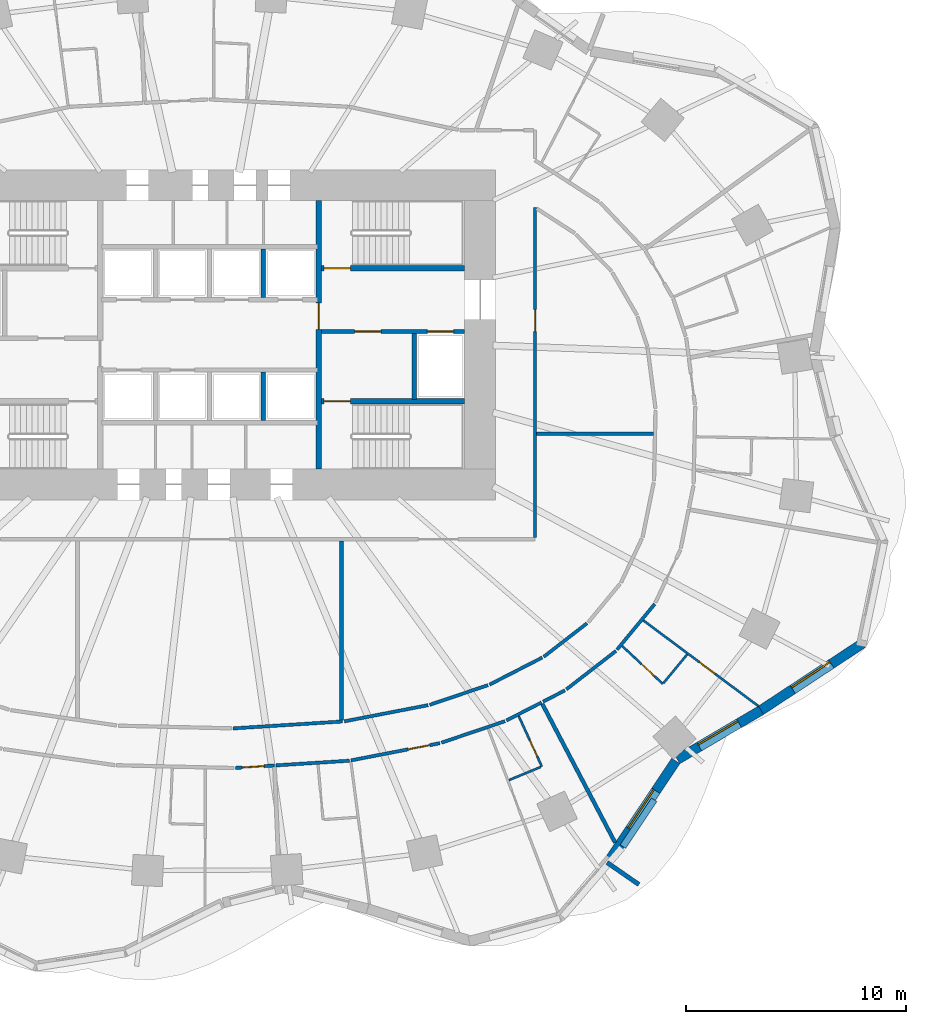
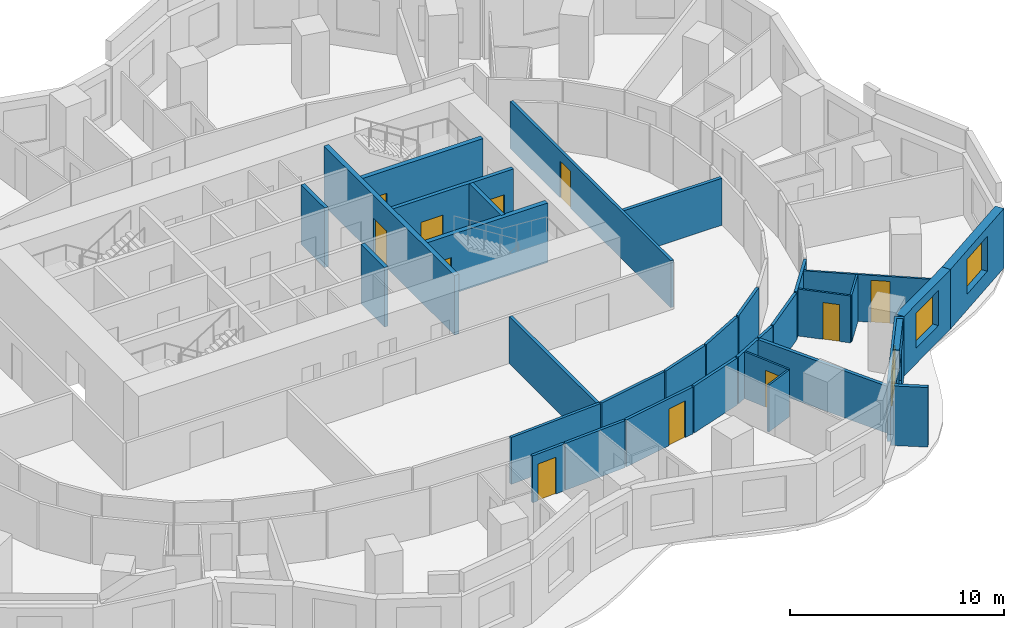
# One storey, part 6 of 11: 34 walls, 11 doors, 3 windows, 14 openings.
"""IFC4 building model written with IfcOpenShell, lengths in metres."""

from ifc_helpers import new_model, si_unit, direction, frame, frame_2d, origin, place, context, subcontext, project, spatial, rectangle, extrude, material, layer, layer_set, type_object, element, fill, save


model = new_model("IFC4")

# Units and contexts
model_context = context("Model", 3, precision=1e-05, world=origin(), true_north=direction((0.0, 1.0)))
body_context = subcontext(model_context, "Body", "Model", "MODEL_VIEW")
ifc_project = project(units=[si_unit("LENGTHUNIT", "METRE"), si_unit("AREAUNIT", "SQUARE_METRE"), si_unit("VOLUMEUNIT", "CUBIC_METRE"), si_unit("PLANEANGLEUNIT", "RADIAN"), si_unit("MASSUNIT", "GRAM", prefix="KILO")], contexts=[model_context])

# Site, building, storey
site_placement = place(None, origin())
site = spatial("IfcSite", under=ifc_project, at=site_placement, CompositionType="ELEMENT")
building_placement = place(site_placement, origin())
building = spatial("IfcBuilding", under=site, at=building_placement, Name="Rubra Terraces Tower", CompositionType="ELEMENT")
storey_placement = place(building_placement, frame((0.0, 0.0, 66.300048828125)))
storey = spatial("IfcBuildingStorey", under=building, at=storey_placement, Name="L14", CompositionType="ELEMENT", Elevation=66.300048828125)

# Walls
ifc_material_1 = material(Name="Twin plasterboard on staggered steel stud, acoustic mineral wool", Category="steel")
ifc_layer_1 = layer(ifc_material_1, 0.175048828125)
ifc_layer_set_1 = layer_set([ifc_layer_1], Name="Twin plasterboard on staggered steel stud, acoustic mineral wool")
wall_type_1 = type_object("IfcWallType", Name="ACOUSTIC PARTY WALL 175", PredefinedType="PARTITIONING", material=ifc_layer_set_1)
wall_1_placement = place(storey_placement, frame((18.438720703125, -18.585693359375, 0.0), z_axis=(0.0, 0.0, 1.0), x_axis=(-0.464812403085, 0.885409187855, 0.0)))
element("IfcWall", 1, at=wall_1_placement, inside=storey, type_object=wall_type_1, Name="PARTITION", PredefinedType="PARTITIONING", context=body_context, shape_type="SweptSolid", body=[
    extrude(rectangle(XDim=7.122802734375, YDim=0.175048828125, at=frame_2d((3.5615234375, 0.0))), origin(), (0.0, 0.0, 1.0), 2.679931640625),
])
wall_2_placement = place(storey_placement, frame((6.0, -13.005859375, 0.0), z_axis=(0.0, 0.0, 1.0), x_axis=(0.0, 1.0, 0.0)))
element("IfcWall", 2, at=wall_2_placement, inside=storey, type_object=wall_type_1, Name="PARTITION", PredefinedType="PARTITIONING", context=body_context, shape_type="SweptSolid", body=[
    extrude(rectangle(XDim=8.130859375, YDim=0.175048828125, at=frame_2d((4.0654296875, 0.0))), origin(), (0.0, 0.0, 1.0), 2.679931640625),
])
wall_3_placement = place(storey_placement, frame((14.875, 0.0, 0.0), z_axis=(0.0, 0.0, 1.0), x_axis=(1.0, 0.0, 0.0)))
element("IfcWall", 3, at=wall_3_placement, inside=storey, type_object=wall_type_1, Name="PARTITION", PredefinedType="PARTITIONING", context=body_context, shape_type="SweptSolid", body=[
    extrude(rectangle(XDim=5.301025390625, YDim=0.175048828125, at=frame_2d((2.650390625, 0.0))), origin(), (0.0, 0.0, 1.0), 2.679931640625),
])

# Wall, opening, window
ifc_material_2 = material(Name="Brick masonry red-brown", Category="masonry")
ifc_layer_2 = layer(ifc_material_2, 0.449951171875)
ifc_layer_set_2 = layer_set([ifc_layer_2], Name="Brick masonry red-brown")
wall_type_2 = type_object("IfcWallType", Name="Brick facade wall 450", PredefinedType="SOLIDWALL", material=ifc_layer_set_2)
wall_4_placement = place(storey_placement, frame((18.21435546875, -19.333251953125, 0.0), z_axis=(0.0, 0.0, 1.0), x_axis=(0.555833135316, 0.831293886471, 0.0)))
wall_4 = element("IfcWall", 4, at=wall_4_placement, inside=storey, type_object=wall_type_2, Name="Facade wall L14 bay 36", PredefinedType="SOLIDWALL", context=body_context, shape_type="SweptSolid", body=[
    extrude(rectangle(XDim=5.368408203125, YDim=0.449951171875, at=frame_2d((2.68408203125, 0.0))), origin(), (0.0, 0.0, 1.0), 3.39990234375),
])
opening_1_placement = place(wall_4_placement, frame((1.63427734375, 0.0, 0.89990234375)))
opening_1 = element("IfcOpeningElement", 5, at=opening_1_placement, cuts=wall_4, Name="Opening W1", PredefinedType="OPENING", context=body_context, shape_type="SweptSolid", body=[
    extrude(rectangle(XDim=2.10009765625, YDim=2.0, at=frame_2d((1.050048828125, 1.0))), frame((0.0, 0.23486328125, 0.0), z_axis=(0.0, -1.0, 0.0), x_axis=(1.0, 0.0, 0.0)), (0.0, 0.0, 1.0), 0.469970703125),
])
ifc_material_3 = material(Name="Clear glass in aluminium frame", Category="aluminium")
window_type = type_object("IfcWindowType", Name="Fixed deep-set window 2100 x 2000", PartitioningType="SINGLE_PANEL", PredefinedType="WINDOW", material=ifc_material_3)
window_1_placement = place(opening_1_placement, origin())
window_1 = element("IfcWindow", 6, at=window_1_placement, inside=storey, type_object=window_type, Name="Window L14 bay 36", OverallHeight=2.0, OverallWidth=2.10009765625, PartitioningType="SINGLE_PANEL", PredefinedType="WINDOW", context=body_context, shape_type="SweptSolid", body=[
    extrude(rectangle(XDim=2.10009765625, YDim=2.0, at=frame_2d((1.050048828125, 1.0))), frame((0.0, 0.135009765625, 0.0), z_axis=(0.0, -1.0, 0.0), x_axis=(1.0, 0.0, 0.0)), (0.0, 0.0, 1.0), 0.06005859375),
])
fill(opening_1, window_1)

wall_5_placement = place(storey_placement, frame((21.265625, -14.805419921875, 0.0), z_axis=(0.0, 0.0, 1.0), x_axis=(0.861975457737, 0.506950007653, 0.0)))
wall_5 = element("IfcWall", 7, at=wall_5_placement, inside=storey, type_object=wall_type_2, Name="Facade wall L14 bay 37", PredefinedType="SOLIDWALL", context=body_context, shape_type="SweptSolid", body=[
    extrude(rectangle(XDim=4.412841796875, YDim=0.449951171875, at=frame_2d((2.20654296875, 0.0))), origin(), (0.0, 0.0, 1.0), 3.39990234375),
])
opening_2_placement = place(wall_5_placement, frame((1.156494140625, 0.0, 0.89990234375)))
opening_2 = element("IfcOpeningElement", 8, at=opening_2_placement, cuts=wall_5, Name="Opening W1", PredefinedType="OPENING", context=body_context, shape_type="SweptSolid", body=[
    extrude(rectangle(XDim=2.10009765625, YDim=2.0, at=frame_2d((1.050048828125, 1.0))), frame((0.0, 0.23486328125, 0.0), z_axis=(0.0, -1.0, 0.0), x_axis=(1.0, 0.0, 0.0)), (0.0, 0.0, 1.0), 0.469970703125),
])
window_2_placement = place(opening_2_placement, origin())
window_2 = element("IfcWindow", 9, at=window_2_placement, inside=storey, type_object=window_type, Name="Window L14 bay 37", OverallHeight=2.0, OverallWidth=2.10009765625, PartitioningType="SINGLE_PANEL", PredefinedType="WINDOW", context=body_context, shape_type="SweptSolid", body=[
    extrude(rectangle(XDim=2.10009765625, YDim=2.0, at=frame_2d((1.050048828125, 1.0))), frame((0.0, 0.135009765625, 0.0), z_axis=(0.0, -1.0, 0.0), x_axis=(1.0, 0.0, 0.0)), (0.0, 0.0, 1.0), 0.06005859375),
])
fill(opening_2, window_2)

wall_6_placement = place(storey_placement, frame((25.06103515625, -12.573974609375, 0.0), z_axis=(0.0, 0.0, 1.0), x_axis=(0.83520622102, 0.549936876714, 0.0)))
wall_6 = element("IfcWall", 10, at=wall_6_placement, inside=storey, type_object=wall_type_2, Name="Facade wall L14 bay 38", PredefinedType="SOLIDWALL", context=body_context, shape_type="SweptSolid", body=[
    extrude(rectangle(XDim=5.56982421875, YDim=0.449951171875, at=frame_2d((2.784912109375, 0.0))), origin(), (0.0, 0.0, 1.0), 3.39990234375),
])
opening_3_placement = place(wall_6_placement, frame((1.73486328125, 0.0, 0.89990234375)))
opening_3 = element("IfcOpeningElement", 11, at=opening_3_placement, cuts=wall_6, Name="Opening W1", PredefinedType="OPENING", context=body_context, shape_type="SweptSolid", body=[
    extrude(rectangle(XDim=2.10009765625, YDim=2.0, at=frame_2d((1.050048828125, 1.0))), frame((0.0, 0.23486328125, 0.0), z_axis=(0.0, -1.0, 0.0), x_axis=(1.0, 0.0, 0.0)), (0.0, 0.0, 1.0), 0.469970703125),
])
window_3_placement = place(opening_3_placement, origin())
window_3 = element("IfcWindow", 12, at=window_3_placement, inside=storey, type_object=window_type, Name="Window L14 bay 38", OverallHeight=2.0, OverallWidth=2.10009765625, PartitioningType="SINGLE_PANEL", PredefinedType="WINDOW", context=body_context, shape_type="SweptSolid", body=[
    extrude(rectangle(XDim=2.10009765625, YDim=2.0, at=frame_2d((1.050048828125, 1.0))), frame((0.0, 0.135009765625, 0.0), z_axis=(0.0, -1.0, 0.0), x_axis=(1.0, 0.0, 0.0)), (0.0, 0.0, 1.0), 0.06005859375),
])
fill(opening_3, window_3)

# Walls
ifc_layer_3 = layer(ifc_material_2, 0.300048828125)
ifc_layer_set_3 = layer_set([ifc_layer_3], Name="Brick masonry red-brown")
wall_type_3 = type_object("IfcWallType", Name="Brick parapet 300", PredefinedType="PARAPET", material=ifc_layer_set_3)
wall_7_placement = place(storey_placement, frame((18.7919921875, -18.7666015625, 3.599853515625), z_axis=(0.0, 0.0, 1.0), x_axis=(0.555843382853, 0.831287034507, 0.0)))
element("IfcWall", 13, at=wall_7_placement, inside=storey, type_object=wall_type_3, Name="Parapet L14 bay 36", PredefinedType="PARAPET", context=body_context, shape_type="SweptSolid", body=[
    extrude(rectangle(XDim=2.5615234375, YDim=0.300048828125, at=frame_2d((1.28076171875, 0.0))), origin(), (0.0, 0.0, 1.0), 1.10009765625),
])
ifc_layer_4 = layer(ifc_material_2, 0.199951171875)
ifc_layer_set_4 = layer_set([ifc_layer_4], Name="Brick masonry red-brown")
wall_type_4 = type_object("IfcWallType", Name="Brick wind fin 200", PredefinedType="SOLIDWALL", material=ifc_layer_set_4)
wall_8_placement = place(storey_placement, frame((18.075927734375, -19.491943359375, 0.0), z_axis=(0.0, 0.0, 1.0), x_axis=(0.822618823872, -0.568593238274, 0.0)))
element("IfcWall", 14, at=wall_8_placement, inside=storey, type_object=wall_type_4, Name="Wind fin L14 21", PredefinedType="SOLIDWALL", context=body_context, shape_type="SweptSolid", body=[
    extrude(rectangle(XDim=1.750244140625, YDim=0.199951171875, at=frame_2d((0.875, 0.0))), origin(), (0.0, 0.0, 1.0), 3.39990234375),
])

# Wall, opening, door
ifc_material_4 = material(Name="Plasterboard on steel stud, mineral wool infill", Category="steel")
ifc_layer_5 = layer(ifc_material_4, 0.14990234375)
ifc_layer_set_5 = layer_set([ifc_layer_5], Name="Plasterboard on steel stud, mineral wool infill")
wall_type_5 = type_object("IfcWallType", Name="CORRIDOR PARTITION 150", PredefinedType="PARTITIONING", material=ifc_layer_set_5)
wall_9_placement = place(storey_placement, frame((1.185791015625, -15.189697265625, 0.0), z_axis=(0.0, 0.0, 1.0), x_axis=(0.997996397867, 0.063270766108, 0.0)))
wall_9 = element("IfcWall", 15, at=wall_9_placement, inside=storey, type_object=wall_type_5, Name="PARTITION", PredefinedType="PARTITIONING", context=body_context, shape_type="SweptSolid", body=[
    extrude(rectangle(XDim=1.771240234375, YDim=0.14990234375, at=frame_2d((0.8857421875, 0.0))), origin(), (0.0, 0.0, 1.0), 2.679931640625),
])
opening_4_placement = place(wall_9_placement, frame((0.300048828125, 0.0, 0.0)))
opening_4 = element("IfcOpeningElement", 16, at=opening_4_placement, cuts=wall_9, Name="Opening 14-119", PredefinedType="OPENING", context=body_context, shape_type="SweptSolid", body=[
    extrude(rectangle(XDim=1.0, YDim=2.10009765625, at=frame_2d((0.5, 1.050048828125))), frame((0.0, 0.0849609375, 0.0), z_axis=(0.0, -1.0, 0.0), x_axis=(1.0, 0.0, 0.0)), (0.0, 0.0, 1.0), 0.169921875),
])
ifc_material_5 = material(Name="Painted timber door leaf", Category="wood")
door_type_1 = type_object("IfcDoorType", Name="ROOM DOOR 1000 X 2100", OperationType="SINGLE_SWING_LEFT", PredefinedType="DOOR", material=ifc_material_5)
door_1_placement = place(opening_4_placement, origin())
door_1 = element("IfcDoor", 17, at=door_1_placement, inside=storey, type_object=door_type_1, Name="DOOR 14-119", OperationType="SINGLE_SWING_RIGHT", OverallHeight=2.10009765625, OverallWidth=1.0, PredefinedType="DOOR", context=body_context, shape_type="SweptSolid", body=[
    extrude(rectangle(XDim=1.0, YDim=2.10009765625, at=frame_2d((0.5, 1.050048828125))), frame((0.0, 0.02490234375, 0.0), z_axis=(0.0, -1.0, 0.0), x_axis=(1.0, 0.0, 0.0)), (0.0, 0.0, 1.0), 0.050048828125),
])
fill(opening_4, door_1)

# Wall
wall_10_placement = place(storey_placement, frame((3.0283203125, -15.072998046875, 0.0), z_axis=(0.0, 0.0, 1.0), x_axis=(0.997992583289, 0.063330906356, 0.0)))
element("IfcWall", 18, at=wall_10_placement, inside=storey, type_object=wall_type_5, Name="PARTITION", PredefinedType="PARTITIONING", context=body_context, shape_type="SweptSolid", body=[
    extrude(rectangle(XDim=3.33447265625, YDim=0.14990234375, at=frame_2d((1.667236328125, 0.0))), origin(), (0.0, 0.0, 1.0), 2.679931640625),
])

# Wall, opening, door
wall_11_placement = place(storey_placement, frame((6.429931640625, -14.84765625, 0.0), z_axis=(0.0, 0.0, 1.0), x_axis=(0.981801609996, 0.189909448446, 0.0)))
wall_11 = element("IfcWall", 19, at=wall_11_placement, inside=storey, type_object=wall_type_5, Name="PARTITION", PredefinedType="PARTITIONING", context=body_context, shape_type="SweptSolid", body=[
    extrude(rectangle(XDim=4.11767578125, YDim=0.14990234375, at=frame_2d((2.058837890625, 0.0))), origin(), (0.0, 0.0, 1.0), 2.679931640625),
])
opening_5_placement = place(wall_11_placement, frame((2.64990234375, 0.0, 0.0)))
opening_5 = element("IfcOpeningElement", 20, at=opening_5_placement, cuts=wall_11, Name="Opening 14-124", PredefinedType="OPENING", context=body_context, shape_type="SweptSolid", body=[
    extrude(rectangle(XDim=1.0, YDim=2.10009765625, at=frame_2d((0.5, 1.050048828125))), frame((0.0, 0.0849609375, 0.0), z_axis=(0.0, -1.0, 0.0), x_axis=(1.0, 0.0, 0.0)), (0.0, 0.0, 1.0), 0.169921875),
])
door_2_placement = place(opening_5_placement, origin())
door_2 = element("IfcDoor", 21, at=door_2_placement, inside=storey, type_object=door_type_1, Name="DOOR 14-124", OperationType="SINGLE_SWING_RIGHT", OverallHeight=2.10009765625, OverallWidth=1.0, PredefinedType="DOOR", context=body_context, shape_type="SweptSolid", body=[
    extrude(rectangle(XDim=1.0, YDim=2.10009765625, at=frame_2d((0.5, 1.050048828125))), frame((0.0, 0.02490234375, 0.0), z_axis=(0.0, -1.0, 0.0), x_axis=(1.0, 0.0, 0.0)), (0.0, 0.0, 1.0), 0.050048828125),
])
fill(opening_5, door_2)

# Walls
wall_12_placement = place(storey_placement, frame((10.543701171875, -14.041748046875, 0.0), z_axis=(0.0, 0.0, 1.0), x_axis=(0.947314242069, 0.320305677085, 0.0)))
element("IfcWall", 22, at=wall_12_placement, inside=storey, type_object=wall_type_5, Name="PARTITION", PredefinedType="PARTITIONING", context=body_context, shape_type="SweptSolid", body=[
    extrude(rectangle(XDim=3.051025390625, YDim=0.14990234375, at=frame_2d((1.525390625, 0.0))), origin(), (0.0, 0.0, 1.0), 2.679931640625),
])
wall_13_placement = place(storey_placement, frame((13.5009765625, -13.030029296875, 0.0), z_axis=(0.0, 0.0, 1.0), x_axis=(0.88960147572, 0.456737577168, 0.0)))
element("IfcWall", 23, at=wall_13_placement, inside=storey, type_object=wall_type_5, Name="PARTITION", PredefinedType="PARTITIONING", context=body_context, shape_type="SweptSolid", body=[
    extrude(rectangle(XDim=1.78955078125, YDim=0.14990234375, at=frame_2d((0.894775390625, 0.0))), origin(), (0.0, 0.0, 1.0), 2.679931640625),
])
wall_14_placement = place(storey_placement, frame((15.159912109375, -12.17822265625, 0.0), z_axis=(0.0, 0.0, 1.0), x_axis=(0.889562255844, 0.456813958826, 0.0)))
element("IfcWall", 24, at=wall_14_placement, inside=storey, type_object=wall_type_5, Name="PARTITION", PredefinedType="PARTITIONING", context=body_context, shape_type="SweptSolid", body=[
    extrude(rectangle(XDim=1.1259765625, YDim=0.14990234375, at=frame_2d((0.56298828125, 0.0))), origin(), (0.0, 0.0, 1.0), 2.679931640625),
])
wall_15_placement = place(storey_placement, frame((16.220947265625, -11.617919921875, 0.0), z_axis=(0.0, 0.0, 1.0), x_axis=(0.79075977513, 0.612126602948, 0.0)))
element("IfcWall", 25, at=wall_15_placement, inside=storey, type_object=wall_type_5, Name="PARTITION", PredefinedType="PARTITIONING", context=body_context, shape_type="SweptSolid", body=[
    extrude(rectangle(XDim=2.853759765625, YDim=0.14990234375, at=frame_2d((1.4267578125, 0.0))), origin(), (0.0, 0.0, 1.0), 2.679931640625),
])
wall_16_placement = place(storey_placement, frame((18.525146484375, -9.813232421875, 0.0), z_axis=(0.0, 0.0, 1.0), x_axis=(0.636590727548, 0.771201818981, 0.0)))
element("IfcWall", 26, at=wall_16_placement, inside=storey, type_object=wall_type_5, Name="PARTITION", PredefinedType="PARTITIONING", context=body_context, shape_type="SweptSolid", body=[
    extrude(rectangle(XDim=2.69140625, YDim=0.14990234375, at=frame_2d((1.345703125, 0.0))), origin(), (0.0, 0.0, 1.0), 2.679931640625),
])

# Wall, opening, door
wall_17_placement = place(storey_placement, frame((14.800048828125, -4.72509765625, 0.0), z_axis=(0.0, 0.0, 1.0), x_axis=(0.0, 1.0, 0.0)))
wall_17 = element("IfcWall", 27, at=wall_17_placement, inside=storey, type_object=wall_type_5, Name="PARTITION", PredefinedType="PARTITIONING", context=body_context, shape_type="SweptSolid", body=[
    extrude(rectangle(XDim=15.00830078125, YDim=0.14990234375, at=frame_2d((7.504150390625, 0.0))), origin(), (0.0, 0.0, 1.0), 2.679931640625),
])
opening_6_placement = place(wall_17_placement, frame((9.365966796875, 0.0, 0.0)))
opening_6 = element("IfcOpeningElement", 28, at=opening_6_placement, cuts=wall_17, Name="Opening 14-138", PredefinedType="OPENING", context=body_context, shape_type="SweptSolid", body=[
    extrude(rectangle(XDim=1.0, YDim=2.10009765625, at=frame_2d((0.5, 1.050048828125))), frame((0.0, 0.0849609375, 0.0), z_axis=(0.0, -1.0, 0.0), x_axis=(1.0, 0.0, 0.0)), (0.0, 0.0, 1.0), 0.169921875),
])
door_3_placement = place(opening_6_placement, origin())
door_3 = element("IfcDoor", 29, at=door_3_placement, inside=storey, type_object=door_type_1, Name="DOOR 14-138", OperationType="SINGLE_SWING_RIGHT", OverallHeight=2.10009765625, OverallWidth=1.0, PredefinedType="DOOR", context=body_context, shape_type="SweptSolid", body=[
    extrude(rectangle(XDim=1.0, YDim=2.10009765625, at=frame_2d((0.5, 1.050048828125))), frame((0.0, 0.02490234375, 0.0), z_axis=(0.0, -1.0, 0.0), x_axis=(1.0, 0.0, 0.0)), (0.0, 0.0, 1.0), 0.050048828125),
])
fill(opening_6, door_3)

# Walls
wall_18_placement = place(storey_placement, frame((17.15771484375, -8.616455078125, 0.0), z_axis=(0.0, 0.0, 1.0), x_axis=(-0.790740570998, -0.612151410501, 0.0)))
element("IfcWall", 30, at=wall_18_placement, inside=storey, type_object=wall_type_5, Name="PARTITION", PredefinedType="PARTITIONING", context=body_context, shape_type="SweptSolid", body=[
    extrude(rectangle(XDim=2.486572265625, YDim=0.14990234375, at=frame_2d((1.2431640625, 0.0))), origin(), (0.0, 0.0, 1.0), 2.679931640625),
])
wall_19_placement = place(storey_placement, frame((15.124755859375, -10.1728515625, 0.0), z_axis=(0.0, 0.0, 1.0), x_axis=(-0.889567018144, -0.456804684993, 0.0)))
element("IfcWall", 31, at=wall_19_placement, inside=storey, type_object=wall_type_5, Name="PARTITION", PredefinedType="PARTITIONING", context=body_context, shape_type="SweptSolid", body=[
    extrude(rectangle(XDim=2.69091796875, YDim=0.14990234375, at=frame_2d((1.345458984375, 0.0))), origin(), (0.0, 0.0, 1.0), 2.679931640625),
])
wall_20_placement = place(storey_placement, frame((12.659912109375, -11.426025390625, 0.0), z_axis=(0.0, 0.0, 1.0), x_axis=(-0.94731220982, -0.320311687465, 0.0)))
element("IfcWall", 32, at=wall_20_placement, inside=storey, type_object=wall_type_5, Name="PARTITION", PredefinedType="PARTITIONING", context=body_context, shape_type="SweptSolid", body=[
    extrude(rectangle(XDim=2.795654296875, YDim=0.14990234375, at=frame_2d((1.39794921875, 0.0))), origin(), (0.0, 0.0, 1.0), 2.679931640625),
])
wall_21_placement = place(storey_placement, frame((9.937744140625, -12.335693359375, 0.0), z_axis=(0.0, 0.0, 1.0), x_axis=(-0.981799909949, -0.18991823721, 0.0)))
element("IfcWall", 33, at=wall_21_placement, inside=storey, type_object=wall_type_5, Name="PARTITION", PredefinedType="PARTITIONING", context=body_context, shape_type="SweptSolid", body=[
    extrude(rectangle(XDim=3.880859375, YDim=0.14990234375, at=frame_2d((1.9404296875, 0.0))), origin(), (0.0, 0.0, 1.0), 2.679931640625),
])
wall_22_placement = place(storey_placement, frame((6.052734375, -13.077392578125, 0.0), z_axis=(0.0, 0.0, 1.0), x_axis=(-0.997994823425, -0.06329559556, 0.0)))
element("IfcWall", 34, at=wall_22_placement, inside=storey, type_object=wall_type_5, Name="PARTITION", PredefinedType="PARTITIONING", context=body_context, shape_type="SweptSolid", body=[
    extrude(rectangle(XDim=4.9873046875, YDim=0.14990234375, at=frame_2d((2.49365234375, 0.0))), origin(), (0.0, 0.0, 1.0), 2.679931640625),
])

# Wall, openings, doors
ifc_material_6 = material(Name="Concrete C30", Category="concrete")
ifc_layer_6 = layer(ifc_material_6, 0.199951171875)
ifc_layer_set_6 = layer_set([ifc_layer_6], Name="Concrete C30")
wall_type_6 = type_object("IfcWallType", Name="Core wall 200 concrete", PredefinedType="SOLIDWALL", material=ifc_layer_set_6)
wall_23_placement = place(storey_placement, frame((11.60009765625, 4.64990234375, 0.0), z_axis=(0.0, 0.0, 1.0), x_axis=(-1.0, 0.0, 0.0)))
wall_23 = element("IfcWall", 35, at=wall_23_placement, inside=storey, type_object=wall_type_6, Name="STAIR WALL L14", PredefinedType="SOLIDWALL", context=body_context, shape_type="SweptSolid", body=[
    extrude(rectangle(XDim=6.5, YDim=0.199951171875, at=frame_2d((3.25, 0.0))), origin(), (0.0, 0.0, 1.0), 3.39990234375),
])
opening_7_placement = place(wall_23_placement, frame((3.800048828125, 0.0, 0.0)))
opening_7 = element("IfcOpeningElement", 36, at=opening_7_placement, cuts=wall_23, Name="Opening L14.C06", PredefinedType="OPENING", context=body_context, shape_type="SweptSolid", body=[
    extrude(rectangle(XDim=1.199951171875, YDim=2.10009765625, at=frame_2d((0.60009765625, 1.050048828125))), frame((0.0, 0.10986328125, 0.0), z_axis=(0.0, -1.0, 0.0), x_axis=(1.0, 0.0, 0.0)), (0.0, 0.0, 1.0), 0.219970703125),
])
opening_8_placement = place(wall_23_placement, frame((0.5, 0.0, 0.0)))
opening_8 = element("IfcOpeningElement", 37, at=opening_8_placement, cuts=wall_23, Name="Opening L14.C12", PredefinedType="OPENING", context=body_context, shape_type="SweptSolid", body=[
    extrude(rectangle(XDim=1.199951171875, YDim=2.10009765625, at=frame_2d((0.60009765625, 1.050048828125))), frame((0.0, 0.10986328125, 0.0), z_axis=(0.0, -1.0, 0.0), x_axis=(1.0, 0.0, 0.0)), (0.0, 0.0, 1.0), 0.219970703125),
])
ifc_material_7 = material(Name="Painted steel", Category="steel")
door_type_2 = type_object("IfcDoorType", Name="Fire door 1200x2100 single", OperationType="NOTDEFINED", PredefinedType="DOOR", material=ifc_material_7)
door_4_placement = place(opening_7_placement, origin())
door_4 = element("IfcDoor", 38, at=door_4_placement, inside=storey, type_object=door_type_2, Name="Stair vestibule door S4", OperationType="SINGLE_SWING_RIGHT", OverallHeight=2.10009765625, OverallWidth=1.199951171875, PredefinedType="DOOR", context=body_context, shape_type="SweptSolid", body=[
    extrude(rectangle(XDim=1.199951171875, YDim=2.10009765625, at=frame_2d((0.60009765625, 1.050048828125))), frame((0.0, 0.02490234375, 0.0), z_axis=(0.0, -1.0, 0.0), x_axis=(1.0, 0.0, 0.0)), (0.0, 0.0, 1.0), 0.050048828125),
])
fill(opening_7, door_4)
ifc_material_8 = material(Name="Stainless steel", Category="steel")
door_type_3 = type_object("IfcDoorType", Name="Lift landing door 1200x2100", OperationType="NOTDEFINED", PredefinedType="DOOR", material=ifc_material_8)
door_5_placement = place(opening_8_placement, origin())
door_5 = element("IfcDoor", 39, at=door_5_placement, inside=storey, type_object=door_type_3, Name="Landing door FF2", OperationType="SLIDING_TO_RIGHT", OverallHeight=2.10009765625, OverallWidth=1.199951171875, PredefinedType="DOOR", context=body_context, shape_type="SweptSolid", body=[
    extrude(rectangle(XDim=1.199951171875, YDim=2.10009765625, at=frame_2d((0.60009765625, 1.050048828125))), frame((0.0, 0.02490234375, 0.0), z_axis=(0.0, -1.0, 0.0), x_axis=(1.0, 0.0, 0.0)), (0.0, 0.0, 1.0), 0.050048828125),
])
fill(opening_8, door_5)

# Walls
wall_24_placement = place(storey_placement, frame((9.300048828125, 4.550048828125, 0.0), z_axis=(0.0, 0.0, 1.0), x_axis=(0.0, -1.0, 0.0)))
element("IfcWall", 40, at=wall_24_placement, inside=storey, type_object=wall_type_6, Name="STAIR WALL L14", PredefinedType="SOLIDWALL", context=body_context, shape_type="SweptSolid", body=[
    extrude(rectangle(XDim=3.0, YDim=0.199951171875, at=frame_2d((1.5, 0.0))), origin(), (0.0, 0.0, 1.0), 3.39990234375),
])
for number, where, z_axis, x_axis, name in (
    (41, (2.449951171875, 0.60009765625, 0.0), (0.0, 0.0, 1.0), (0.0, 1.0, 0.0), "LIFT SHAFT WALL L14"),
    (42, (2.449951171875, 6.199951171875, 0.0), (0.0, 0.0, 1.0), (0.0, 1.0, 0.0), "LIFT SHAFT WALL L14"),
):
    element("IfcWall", number, at=place(storey_placement, frame(where, z_axis=z_axis, x_axis=x_axis)), inside=storey, type_object=wall_type_6, Name=name, PredefinedType="SOLIDWALL", context=body_context, shape_type="SweptSolid", body=[
        extrude(rectangle(XDim=2.199951171875, YDim=0.199951171875, at=frame_2d((1.10009765625, 0.0))), origin(), (0.0, 0.0, 1.0), 3.39990234375),
    ])

# Wall, opening, door
ifc_material_9 = material(Name="Plasterboard on steel stud", Category="steel")
ifc_layer_7 = layer(ifc_material_9, 0.10009765625)
ifc_layer_set_7 = layer_set([ifc_layer_7], Name="Plasterboard on steel stud")
wall_type_7 = type_object("IfcWallType", Name="ROOM PARTITION 100", PredefinedType="PARTITIONING", material=ifc_layer_set_7)
wall_25_placement = place(storey_placement, frame((14.054443359375, -12.830078125, 0.0), z_axis=(0.0, 0.0, 1.0), x_axis=(0.416714635196, -0.909037355015, 0.0)))
wall_25 = element("IfcWall", 43, at=wall_25_placement, inside=storey, type_object=wall_type_7, Name="PARTITION", PredefinedType="PARTITIONING", context=body_context, shape_type="SweptSolid", body=[
    extrude(rectangle(XDim=2.525146484375, YDim=0.10009765625, at=frame_2d((1.2626953125, 0.0))), origin(), (0.0, 0.0, 1.0), 2.679931640625),
])
opening_9_placement = place(wall_25_placement, frame((1.199951171875, 0.0, 0.0)))
opening_9 = element("IfcOpeningElement", 44, at=opening_9_placement, cuts=wall_25, Name="Opening 14-121", PredefinedType="OPENING", context=body_context, shape_type="SweptSolid", body=[
    extrude(rectangle(XDim=0.800048828125, YDim=2.10009765625, at=frame_2d((0.39990234375, 1.050048828125))), frame((0.0, 0.06005859375, 0.0), z_axis=(0.0, -1.0, 0.0), x_axis=(1.0, 0.0, 0.0)), (0.0, 0.0, 1.0), 0.1201171875),
])
door_type_4 = type_object("IfcDoorType", Name="BATHROOM DOOR 800 X 2100", OperationType="SINGLE_SWING_LEFT", PredefinedType="DOOR", material=ifc_material_5)
door_6_placement = place(opening_9_placement, origin())
door_6 = element("IfcDoor", 45, at=door_6_placement, inside=storey, type_object=door_type_4, Name="DOOR 14-121", OperationType="SINGLE_SWING_RIGHT", OverallHeight=2.10009765625, OverallWidth=0.800048828125, PredefinedType="DOOR", context=body_context, shape_type="SweptSolid", body=[
    extrude(rectangle(XDim=0.800048828125, YDim=2.10009765625, at=frame_2d((0.39990234375, 1.050048828125))), frame((0.0, 0.02490234375, 0.0), z_axis=(0.0, -1.0, 0.0), x_axis=(1.0, 0.0, 0.0)), (0.0, 0.0, 1.0), 0.050048828125),
])
fill(opening_9, door_6)

# Wall
wall_26_placement = place(storey_placement, frame((15.060546875, -15.14453125, 0.0), z_axis=(0.0, 0.0, 1.0), x_axis=(-0.924177864306, -0.381962400147, 0.0)))
element("IfcWall", 46, at=wall_26_placement, inside=storey, type_object=wall_type_7, Name="PARTITION", PredefinedType="PARTITIONING", context=body_context, shape_type="SweptSolid", body=[
    extrude(rectangle(XDim=1.569091796875, YDim=0.10009765625, at=frame_2d((0.78466796875, 0.0))), origin(), (0.0, 0.0, 1.0), 2.679931640625),
])

# Wall, opening, door
wall_27_placement = place(storey_placement, frame((24.9462890625, -12.375, 0.0), z_axis=(0.0, 0.0, 1.0), x_axis=(-0.802211102923, 0.597040489705, 0.0)))
wall_27 = element("IfcWall", 47, at=wall_27_placement, inside=storey, type_object=wall_type_7, Name="PARTITION", PredefinedType="PARTITIONING", context=body_context, shape_type="SweptSolid", body=[
    extrude(rectangle(XDim=6.51611328125, YDim=0.10009765625, at=frame_2d((3.258056640625, 0.0))), origin(), (0.0, 0.0, 1.0), 2.679931640625),
])
opening_10_placement = place(wall_27_placement, frame((2.44091796875, 0.0, 0.0)))
opening_10 = element("IfcOpeningElement", 48, at=opening_10_placement, cuts=wall_27, Name="Opening 14-126", PredefinedType="OPENING", context=body_context, shape_type="SweptSolid", body=[
    extrude(rectangle(XDim=0.89990234375, YDim=2.39990234375, at=frame_2d((0.449951171875, 1.199951171875))), frame((0.0, 0.06005859375, 0.0), z_axis=(0.0, -1.0, 0.0), x_axis=(1.0, 0.0, 0.0)), (0.0, 0.0, 1.0), 0.1201171875),
])
ifc_material_10 = material(Name="Veneered timber door leaf, fire-rated", Category="wood")
door_type_5 = type_object("IfcDoorType", Name="SUITE ENTRANCE DOOR 900 X 2400", OperationType="SINGLE_SWING_LEFT", PredefinedType="DOOR", material=ifc_material_10)
door_7_placement = place(opening_10_placement, origin())
door_7 = element("IfcDoor", 49, at=door_7_placement, inside=storey, type_object=door_type_5, Name="DOOR 14-126", OperationType="SINGLE_SWING_LEFT", OverallHeight=2.39990234375, OverallWidth=0.89990234375, PredefinedType="DOOR", context=body_context, shape_type="SweptSolid", body=[
    extrude(rectangle(XDim=0.89990234375, YDim=2.39990234375, at=frame_2d((0.449951171875, 1.199951171875))), frame((0.0, 0.02490234375, 0.0), z_axis=(0.0, -1.0, 0.0), x_axis=(1.0, 0.0, 0.0)), (0.0, 0.0, 1.0), 0.050048828125),
])
fill(opening_10, door_7)

wall_28_placement = place(storey_placement, frame((18.7587890625, -9.647705078125, 0.0), z_axis=(0.0, 0.0, 1.0), x_axis=(0.731331715945, -0.682021936049, 0.0)))
wall_28 = element("IfcWall", 50, at=wall_28_placement, inside=storey, type_object=wall_type_7, Name="PARTITION", PredefinedType="PARTITIONING", context=body_context, shape_type="SweptSolid", body=[
    extrude(rectangle(XDim=2.525146484375, YDim=0.10009765625, at=frame_2d((1.2626953125, 0.0))), origin(), (0.0, 0.0, 1.0), 2.679931640625),
])
opening_11_placement = place(wall_28_placement, frame((1.199951171875, 0.0, 0.0)))
opening_11 = element("IfcOpeningElement", 51, at=opening_11_placement, cuts=wall_28, Name="Opening 14-125", PredefinedType="OPENING", context=body_context, shape_type="SweptSolid", body=[
    extrude(rectangle(XDim=0.800048828125, YDim=2.10009765625, at=frame_2d((0.39990234375, 1.050048828125))), frame((0.0, 0.06005859375, 0.0), z_axis=(0.0, -1.0, 0.0), x_axis=(1.0, 0.0, 0.0)), (0.0, 0.0, 1.0), 0.1201171875),
])
door_8_placement = place(opening_11_placement, origin())
door_8 = element("IfcDoor", 52, at=door_8_placement, inside=storey, type_object=door_type_4, Name="DOOR 14-125", OperationType="SINGLE_SWING_LEFT", OverallHeight=2.10009765625, OverallWidth=0.800048828125, PredefinedType="DOOR", context=body_context, shape_type="SweptSolid", body=[
    extrude(rectangle(XDim=0.800048828125, YDim=2.10009765625, at=frame_2d((0.39990234375, 1.050048828125))), frame((0.0, 0.02490234375, 0.0), z_axis=(0.0, -1.0, 0.0), x_axis=(1.0, 0.0, 0.0)), (0.0, 0.0, 1.0), 0.050048828125),
])
fill(opening_11, door_8)

# Wall
wall_29_placement = place(storey_placement, frame((20.637451171875, -11.331298828125, 0.0), z_axis=(0.0, 0.0, 1.0), x_axis=(0.637105732439, 0.770776417447, 0.0)))
element("IfcWall", 53, at=wall_29_placement, inside=storey, type_object=wall_type_7, Name="PARTITION", PredefinedType="PARTITIONING", context=body_context, shape_type="SweptSolid", body=[
    extrude(rectangle(XDim=1.687744140625, YDim=0.10009765625, at=frame_2d((0.84375, 0.0))), origin(), (0.0, 0.0, 1.0), 2.679931640625),
])

# Wall, opening, door
ifc_material_11 = material(Name="Concrete C40", Category="concrete")
ifc_layer_8 = layer(ifc_material_11, 0.25)
ifc_layer_set_8 = layer_set([ifc_layer_8], Name="Concrete C40")
wall_type_8 = type_object("IfcWallType", Name="Stair enclosure wall 250 concrete", PredefinedType="SOLIDWALL", material=ifc_layer_set_8)
wall_30_placement = place(storey_placement, frame((11.60009765625, 7.52490234375, 0.0), z_axis=(0.0, 0.0, 1.0), x_axis=(-1.0, 0.0, 0.0)))
wall_30 = element("IfcWall", 54, at=wall_30_placement, inside=storey, type_object=wall_type_8, Name="STAIR WALL L14", PredefinedType="SOLIDWALL", context=body_context, shape_type="SweptSolid", body=[
    extrude(rectangle(XDim=6.5, YDim=0.25, at=frame_2d((3.25, 0.0))), origin(), (0.0, 0.0, 1.0), 3.39990234375),
])
opening_12_placement = place(wall_30_placement, frame((5.199951171875, 0.0, 0.0)))
opening_12 = element("IfcOpeningElement", 55, at=opening_12_placement, cuts=wall_30, Name="Opening L14.C08", PredefinedType="OPENING", context=body_context, shape_type="SweptSolid", body=[
    extrude(rectangle(XDim=1.199951171875, YDim=2.10009765625, at=frame_2d((0.60009765625, 1.050048828125))), frame((0.0, 0.135009765625, 0.0), z_axis=(0.0, -1.0, 0.0), x_axis=(1.0, 0.0, 0.0)), (0.0, 0.0, 1.0), 0.27001953125),
])
door_9_placement = place(opening_12_placement, origin())
door_9 = element("IfcDoor", 56, at=door_9_placement, inside=storey, type_object=door_type_2, Name="Stair door S3", OperationType="SINGLE_SWING_RIGHT", OverallHeight=2.10009765625, OverallWidth=1.199951171875, PredefinedType="DOOR", context=body_context, shape_type="SweptSolid", body=[
    extrude(rectangle(XDim=1.199951171875, YDim=2.10009765625, at=frame_2d((0.60009765625, 1.050048828125))), frame((0.0, 0.02490234375, 0.0), z_axis=(0.0, -1.0, 0.0), x_axis=(1.0, 0.0, 0.0)), (0.0, 0.0, 1.0), 0.050048828125),
])
fill(opening_12, door_9)

wall_31_placement = place(storey_placement, frame((11.60009765625, 1.47509765625, 0.0), z_axis=(0.0, 0.0, 1.0), x_axis=(-1.0, 0.0, 0.0)))
wall_31 = element("IfcWall", 57, at=wall_31_placement, inside=storey, type_object=wall_type_8, Name="STAIR WALL L14", PredefinedType="SOLIDWALL", context=body_context, shape_type="SweptSolid", body=[
    extrude(rectangle(XDim=6.5, YDim=0.25, at=frame_2d((3.25, 0.0))), origin(), (0.0, 0.0, 1.0), 3.39990234375),
])
opening_13_placement = place(wall_31_placement, frame((5.199951171875, 0.0, 0.0)))
opening_13 = element("IfcOpeningElement", 58, at=opening_13_placement, cuts=wall_31, Name="Opening L14.C10", PredefinedType="OPENING", context=body_context, shape_type="SweptSolid", body=[
    extrude(rectangle(XDim=1.199951171875, YDim=2.10009765625, at=frame_2d((0.60009765625, 1.050048828125))), frame((0.0, 0.135009765625, 0.0), z_axis=(0.0, -1.0, 0.0), x_axis=(1.0, 0.0, 0.0)), (0.0, 0.0, 1.0), 0.27001953125),
])
door_10_placement = place(opening_13_placement, origin())
door_10 = element("IfcDoor", 59, at=door_10_placement, inside=storey, type_object=door_type_2, Name="Stair door S4", OperationType="SINGLE_SWING_RIGHT", OverallHeight=2.10009765625, OverallWidth=1.199951171875, PredefinedType="DOOR", context=body_context, shape_type="SweptSolid", body=[
    extrude(rectangle(XDim=1.199951171875, YDim=2.10009765625, at=frame_2d((0.60009765625, 1.050048828125))), frame((0.0, 0.02490234375, 0.0), z_axis=(0.0, -1.0, 0.0), x_axis=(1.0, 0.0, 0.0)), (0.0, 0.0, 1.0), 0.050048828125),
])
fill(opening_13, door_10)

wall_32_placement = place(storey_placement, frame((4.97509765625, 10.60009765625, 0.0), z_axis=(0.0, 0.0, 1.0), x_axis=(0.0, -1.0, 0.0)))
wall_32 = element("IfcWall", 60, at=wall_32_placement, inside=storey, type_object=wall_type_8, Name="CORE LOBBY WALL L14", PredefinedType="SOLIDWALL", context=body_context, shape_type="SweptSolid", body=[
    extrude(rectangle(XDim=12.2001953125, YDim=0.25, at=frame_2d((6.10009765625, 0.0))), origin(), (0.0, 0.0, 1.0), 3.39990234375),
])
opening_14_placement = place(wall_32_placement, frame((4.64990234375, 0.0, 0.0)))
opening_14 = element("IfcOpeningElement", 61, at=opening_14_placement, cuts=wall_32, Name="Opening L14.C04", PredefinedType="OPENING", context=body_context, shape_type="SweptSolid", body=[
    extrude(rectangle(XDim=1.199951171875, YDim=2.10009765625, at=frame_2d((0.60009765625, 1.050048828125))), frame((0.0, 0.135009765625, 0.0), z_axis=(0.0, -1.0, 0.0), x_axis=(1.0, 0.0, 0.0)), (0.0, 0.0, 1.0), 0.27001953125),
])
door_11_placement = place(opening_14_placement, origin())
door_11 = element("IfcDoor", 62, at=door_11_placement, inside=storey, type_object=door_type_2, Name="Firefighting lobby door FF2", OperationType="SINGLE_SWING_RIGHT", OverallHeight=2.10009765625, OverallWidth=1.199951171875, PredefinedType="DOOR", context=body_context, shape_type="SweptSolid", body=[
    extrude(rectangle(XDim=1.199951171875, YDim=2.10009765625, at=frame_2d((0.60009765625, 1.050048828125))), frame((0.0, 0.02490234375, 0.0), z_axis=(0.0, -1.0, 0.0), x_axis=(1.0, 0.0, 0.0)), (0.0, 0.0, 1.0), 0.050048828125),
])
fill(opening_14, door_11)

save(model, "model.ifc")
